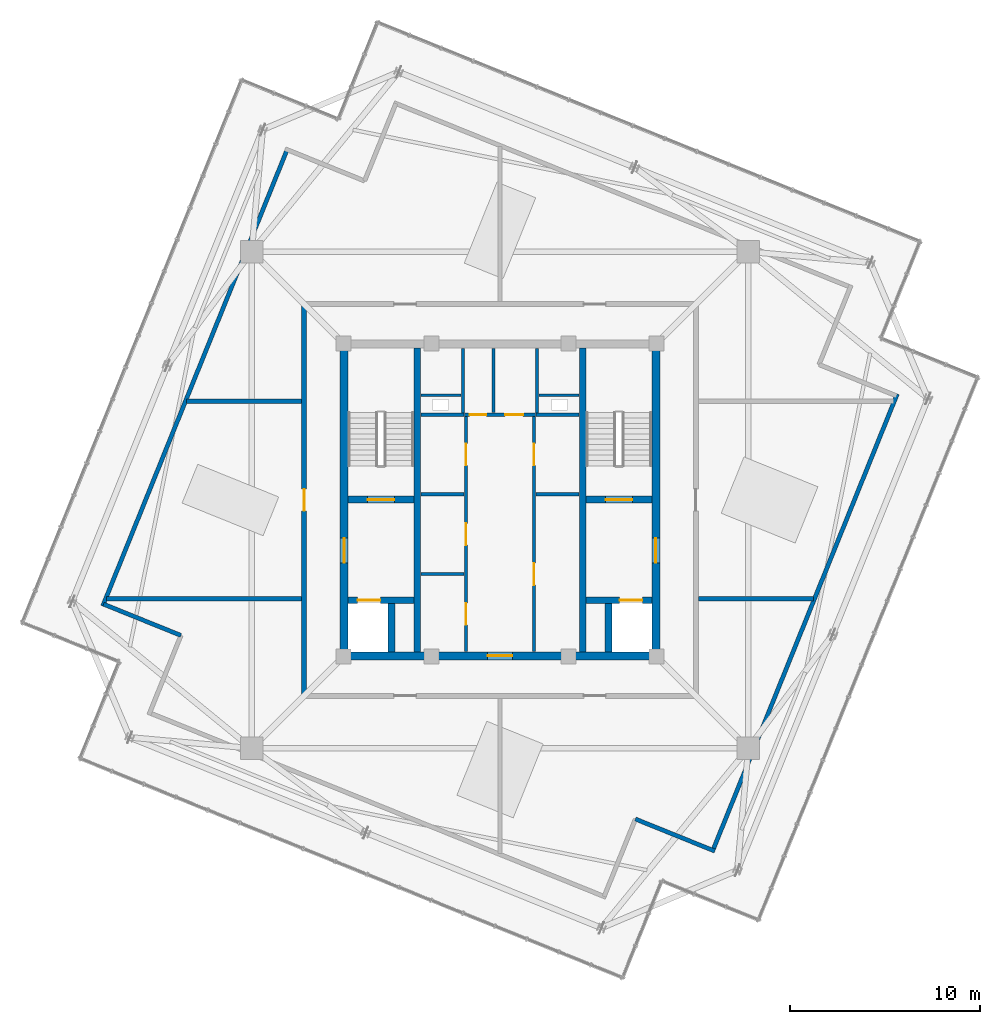
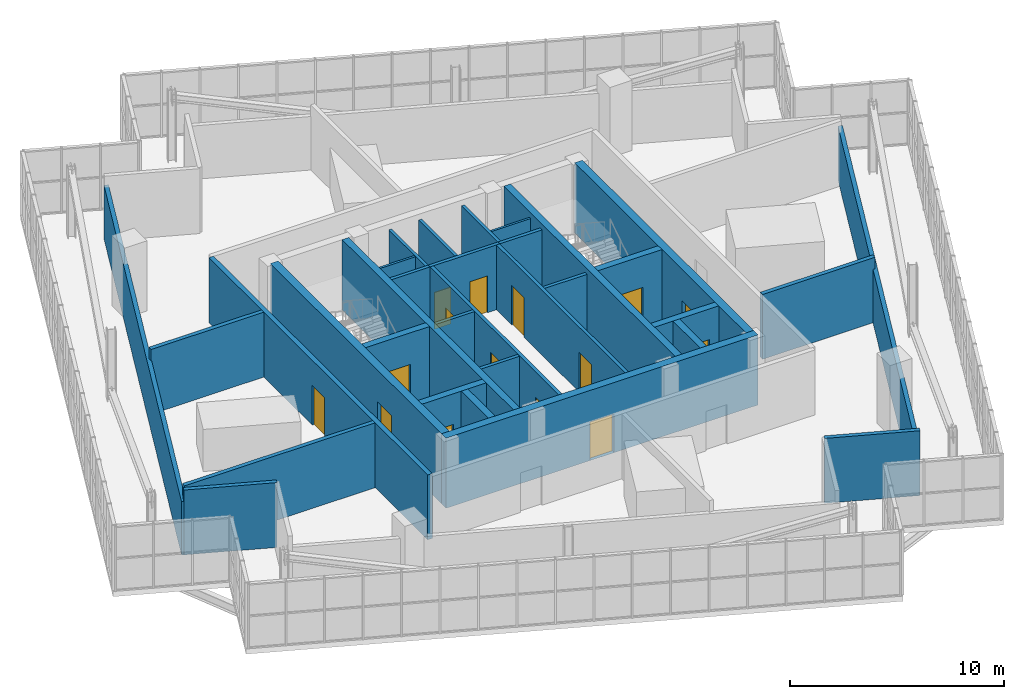
# One storey, part 23 of 26: 32 walls, 15 doors, 15 openings.
"""IFC4 building model written with IfcOpenShell, lengths in metres."""

import ifcopenshell
import ifcopenshell.guid

model = None  # the IFC model being written
_history = None  # IfcOwnerHistory: only IFC2X3 demands one
_inside = {}  # id of a spatial element -> (the spatial element, [elements in it])
_under = {}  # id of a project, library or spatial element -> (it, [spatial elements below it])
_declared = {}  # id of a project -> (the project, [libraries it declares])
_typed = {}  # id of a type object -> (the type object, [elements of that type])
_made_of = {}  # id of a material, layer set ... -> (it, [elements and type objects made of it])


def new_model(schema):
    """Start an empty IFC model of exactly this schema.

    Asked for "IFC4X3", IfcOpenShell would pick the latest addendum, in which some entities
    have other attributes; the version numbers below select the first issue.
    IFC2X3 requires an IfcOwnerHistory on every rooted entity: one is made here for all.
    """
    global model, _history
    if schema == "IFC4X3":
        model = ifcopenshell.file(schema_version=(4, 3, 0, 0))
    else:
        model = ifcopenshell.file(schema=schema)
    _inside.clear()
    _under.clear()
    _declared.clear()
    _typed.clear()
    _made_of.clear()
    _history = None
    if model.schema == "IFC2X3":
        org = make("IfcOrganization", Name="unknown")
        user = make(
            "IfcPersonAndOrganization",
            ThePerson=make("IfcPerson", FamilyName="unknown"),
            TheOrganization=org,
        )
        app = make(
            "IfcApplication",
            ApplicationDeveloper=org,
            Version="unknown",
            ApplicationFullName="unknown",
            ApplicationIdentifier="unknown",
        )
        _history = make(
            "IfcOwnerHistory",
            OwningUser=user,
            OwningApplication=app,
            ChangeAction="ADDED",
            CreationDate=0,
        )
    return model


def make(cls, **values):
    """One entity of the class cls with the attributes given. An attribute that is None is left unset."""
    return model.create_entity(
        cls, **{name: value for name, value in values.items() if value is not None}
    )


def rooted(cls, **values):
    """An entity with a GlobalId (a new one), such as an element, a storey or a relation."""
    return make(cls, GlobalId=ifcopenshell.guid.new(), OwnerHistory=_history, **values)


def si_unit(unit_type, name, prefix=None):
    """IfcSIUnit, for example si_unit("LENGTHUNIT", "METRE", prefix="MILLI")."""
    return make("IfcSIUnit", UnitType=unit_type, Prefix=prefix, Name=name)


def assignment(units):
    """IfcUnitAssignment: the units of a project."""
    return None if units is None else make("IfcUnitAssignment", Units=units)


def point(xyz):
    """IfcCartesianPoint."""
    return None if xyz is None else make("IfcCartesianPoint", Coordinates=xyz)


def direction(xyz):
    """IfcDirection."""
    return None if xyz is None else make("IfcDirection", DirectionRatios=xyz)


def frame(location, z_axis=None, x_axis=None):
    """IfcAxis2Placement3D, a coordinate frame: its origin and axes. An axis left out is left unset."""
    return make(
        "IfcAxis2Placement3D",
        Location=point(location),
        Axis=direction(z_axis),
        RefDirection=direction(x_axis),
    )


def frame_2d(location, x_axis=None):
    """IfcAxis2Placement2D, a coordinate frame in the plane: its origin and x axis."""
    return make(
        "IfcAxis2Placement2D", Location=point(location), RefDirection=direction(x_axis)
    )


def origin():
    """The frame at (0, 0, 0) with its axes left unset."""
    return frame((0.0, 0.0, 0.0))


def place(relative_to, where):
    """IfcLocalPlacement: puts the frame where relative to a parent placement (None: the world)."""
    return make(
        "IfcLocalPlacement", PlacementRelTo=relative_to, RelativePlacement=where
    )


def context(
    kind, dimensions, precision=None, world=None, true_north=None, identifier=None
):
    """IfcGeometricRepresentationContext, for example the 3D "Model" context."""
    return make(
        "IfcGeometricRepresentationContext",
        ContextIdentifier=identifier,
        ContextType=kind,
        CoordinateSpaceDimension=dimensions,
        Precision=precision,
        WorldCoordinateSystem=world,
        TrueNorth=true_north,
    )


def subcontext(parent, identifier, kind, view, scale=None):
    """IfcGeometricRepresentationSubContext, for example "Body" below "Model"."""
    return make(
        "IfcGeometricRepresentationSubContext",
        ContextIdentifier=identifier,
        ContextType=kind,
        ParentContext=parent,
        TargetScale=scale,
        TargetView=view,
    )


def project(units=None, contexts=None):
    """IfcProject with its units and contexts."""
    return rooted(
        "IfcProject",
        Name="project",
        RepresentationContexts=contexts,
        UnitsInContext=assignment(units),
    )


def spatial(cls, under=None, at=None, **own):
    """A site, building, storey or space (cls), placed at a placement, below another one or the project."""
    s = rooted(cls, ObjectPlacement=at, **own)
    if under is not None:
        _under.setdefault(under.id(), (under, []))[1].append(s)
    return s


def profile(cls, at=None, kind="AREA", **sizes):
    """A parametric profile (cls). Its sizes go by their IFC names, for example OverallWidth=200.0."""
    return make(cls, ProfileType=kind, Position=at, **sizes)


def rectangle(**sizes):
    """IfcRectangleProfileDef."""
    return profile("IfcRectangleProfileDef", **sizes)


def extrude(swept, where, along, depth):
    """IfcExtrudedAreaSolid: the profile swept, set in the frame where, extruded along a direction by depth."""
    return make(
        "IfcExtrudedAreaSolid",
        SweptArea=swept,
        Position=where,
        ExtrudedDirection=direction(along),
        Depth=depth,
    )


def shape(context_of_items, identifier, shape_type, items):
    """IfcShapeRepresentation: the items that make up one representation, for example the "Body"."""
    return make(
        "IfcShapeRepresentation",
        ContextOfItems=context_of_items,
        RepresentationIdentifier=identifier,
        RepresentationType=shape_type,
        Items=items,
    )


def source(mapping_origin, context_of_items, identifier, shape_type, items):
    """IfcRepresentationMap: a shape defined once, which mapped items show again and again."""
    return make(
        "IfcRepresentationMap",
        MappingOrigin=mapping_origin,
        MappedRepresentation=shape(context_of_items, identifier, shape_type, items),
    )


def transform(
    local_origin,
    x_axis=None,
    y_axis=None,
    z_axis=None,
    scale=None,
    scale2=None,
    scale3=None,
    uniform=True,
):
    """IfcCartesianTransformationOperator3D, or its non-uniform kind. x_axis, y_axis, z_axis: its Axis1, 2, 3."""
    if uniform:
        return make(
            "IfcCartesianTransformationOperator3D",
            Axis1=direction(x_axis),
            Axis2=direction(y_axis),
            LocalOrigin=point(local_origin),
            Scale=scale,
            Axis3=direction(z_axis),
        )
    return make(
        "IfcCartesianTransformationOperator3DnonUniform",
        Axis1=direction(x_axis),
        Axis2=direction(y_axis),
        LocalOrigin=point(local_origin),
        Scale=scale,
        Axis3=direction(z_axis),
        Scale2=scale2,
        Scale3=scale3,
    )


def mapped(mapping_source, mapping_target):
    """IfcMappedItem: shows the shape of a source again, moved by a transform."""
    return make(
        "IfcMappedItem", MappingSource=mapping_source, MappingTarget=mapping_target
    )


def material(Name=None, Category=None):
    """IfcMaterial."""
    return make("IfcMaterial", Name=Name, Category=Category)


def layer(
    of_material, thickness, ventilated=None, Name=None, Category=None, Priority=None
):
    """IfcMaterialLayer: one layer of a wall or slab, of a material (None: an air gap)."""
    return make(
        "IfcMaterialLayer",
        Material=of_material,
        LayerThickness=thickness,
        IsVentilated=ventilated,
        Name=Name,
        Category=Category,
        Priority=Priority,
    )


def layer_set(layers, Name=None):
    """IfcMaterialLayerSet."""
    return make("IfcMaterialLayerSet", MaterialLayers=layers, LayerSetName=Name)


def made_of(thing, what):
    """Note that an element or type object is made of a material, layer set ...; save() writes the relation."""
    if what is not None:
        _made_of.setdefault(what.id(), (what, []))[1].append(thing)
    return thing


def type_object(cls, material=None, **own):
    """A type object (cls), such as IfcWallType, which elements share."""
    return made_of(rooted(cls, **own), material)


def element(
    cls,
    number,
    at=None,
    inside=None,
    cuts=None,
    type_object=None,
    material=None,
    context=None,
    identifier="Body",
    shape_type=None,
    held_by="IfcProductDefinitionShape",
    body=None,
    shapes=None,
    **own,
):
    """One element of the class cls, such as IfcWall. Its Tag is "e" and its number.

    at: its placement. inside: the storey or other place that contains it. cuts: it is an
    opening in that element (IfcRelVoidsElement). A single representation is given by context,
    identifier, shape_type and body (its items); several are given by shapes. held_by: the class
    of the entity that holds the representations. save() writes the other relations.
    """
    e = rooted(cls, Tag="e%d" % number, ObjectPlacement=at, **own)
    if body is not None:
        shapes = [shape(context, identifier, shape_type, body)]
    if shapes is not None:
        e.Representation = make(held_by, Representations=shapes)
    if inside is not None:
        _inside.setdefault(inside.id(), (inside, []))[1].append(e)
    if cuts is not None:
        rooted(
            "IfcRelVoidsElement", RelatingBuildingElement=cuts, RelatedOpeningElement=e
        )
    if type_object is not None:
        _typed.setdefault(type_object.id(), (type_object, []))[1].append(e)
    return made_of(e, material)


def fill(opening, filler):
    """IfcRelFillsElement: the door or window that sits in an opening."""
    return rooted(
        "IfcRelFillsElement",
        RelatingOpeningElement=opening,
        RelatedBuildingElement=filler,
    )


def aggregate(whole, parts):
    """IfcRelAggregates: a whole, such as a stair, and the parts it consists of."""
    return rooted("IfcRelAggregates", RelatingObject=whole, RelatedObjects=parts)


def save(model, path):
    """Write the relations noted so far, then the file.

    IfcRelAggregates (storeys below a building ...), IfcRelContainedInSpatialStructure (elements
    in a storey), IfcRelDefinesByType, IfcRelAssociatesMaterial and IfcRelDeclares: one each for
    every whole, place, type object, material and project.
    """
    for whole, parts in _under.values():
        aggregate(whole, parts)
    for where, things in _inside.values():
        rooted(
            "IfcRelContainedInSpatialStructure",
            RelatedElements=things,
            RelatingStructure=where,
        )
    for kind, things in _typed.values():
        rooted("IfcRelDefinesByType", RelatedObjects=things, RelatingType=kind)
    for what, things in _made_of.values():
        rooted("IfcRelAssociatesMaterial", RelatedObjects=things, RelatingMaterial=what)
    for by, libraries in _declared.values():
        rooted("IfcRelDeclares", RelatingContext=by, RelatedDefinitions=libraries)
    model.write(path)


model = new_model("IFC4")

# Units and contexts
model_context = context("Model", 3, precision=1e-05, world=origin(), true_north=direction((0.0, 1.0)))
body_context = subcontext(model_context, "Body", "Model", "MODEL_VIEW")
ifc_project = project(units=[si_unit("LENGTHUNIT", "METRE"), si_unit("AREAUNIT", "SQUARE_METRE"), si_unit("VOLUMEUNIT", "CUBIC_METRE"), si_unit("PLANEANGLEUNIT", "RADIAN"), si_unit("MASSUNIT", "GRAM", prefix="KILO"), si_unit("THERMODYNAMICTEMPERATUREUNIT", "KELVIN")], contexts=[model_context])

# Site, building, storey
site_placement = place(None, origin())
site = spatial("IfcSite", under=ifc_project, at=site_placement, CompositionType="ELEMENT")
building_placement = place(site_placement, origin())
building = spatial("IfcBuilding", under=site, at=building_placement, Name="Kosmvard Interchange Tower", CompositionType="ELEMENT")
storey_placement = place(building_placement, frame((0.0, 0.0, 325.60009765625)))
storey = spatial("IfcBuildingStorey", under=building, at=storey_placement, Name="L80", CompositionType="ELEMENT", Elevation=325.60009765625)

# Walls
ifc_material_1 = material(Name="Fire-rated gypsum partition system")
ifc_layer_1 = layer(ifc_material_1, 0.159912109375, Name="Fire-rated gypsum partition system")
ifc_layer_set_1 = layer_set([ifc_layer_1], Name="Fire-rated gypsum partition system")
wall_type_1 = type_object("IfcWallType", Name="Core Compartment & Shuttle Lobby Partition 160", PredefinedType="PARTITIONING", material=ifc_layer_set_1)
for number, where, z_axis, x_axis, name in (
    (1, (-1.9599609375, 4.580078125, 0.0), (0.0, 0.0, 1.0), (0.0, 1.0, 0.0), "L80 North Core West Wall"),
    (2, (1.9599609375, 4.580078125, 0.0), (0.0, 0.0, 1.0), (0.0, 1.0, 0.0), "L80 North Core East Wall"),
):
    element("IfcWall", number, at=place(storey_placement, frame(where, z_axis=z_axis, x_axis=x_axis)), inside=storey, type_object=wall_type_1, Name=name, PredefinedType="PARTITIONING", context=body_context, shape_type="SweptSolid", body=[
        extrude(rectangle(XDim=3.39990234375, YDim=0.159912109375, at=frame_2d((1.699951171875, 0.0))), origin(), (0.0, 0.0, 1.0), 3.699951171875),
    ])
ifc_material_2 = material(Name="Concrete blockwork masonry", Category="masonry")
ifc_layer_2 = layer(ifc_material_2, 0.159912109375, Name="Concrete blockwork masonry")
ifc_layer_set_2 = layer_set([ifc_layer_2], Name="Concrete blockwork masonry")
wall_type_2 = type_object("IfcWallType", Name="Core Enclosure Split Wall 160", PredefinedType="PARTITIONING", material=ifc_layer_set_2)
wall_1_placement = place(storey_placement, frame((-0.35009765625, 4.60009765625, 0.0), z_axis=(0.0, 0.0, 1.0), x_axis=(0.0, 1.0, 0.0)))
element("IfcWall", 3, at=wall_1_placement, inside=storey, type_object=wall_type_2, Name="L80 Core K2 Split Wall", PredefinedType="PARTITIONING", context=body_context, shape_type="SweptSolid", body=[
    extrude(rectangle(XDim=3.3798828125, YDim=0.159912109375, at=frame_2d((1.68994140625, 0.0))), origin(), (0.0, 0.0, 1.0), 3.699951171875),
])

# Wall, openings, doors
ifc_layer_3 = layer(ifc_material_1, 0.179931640625, Name="Fire-rated gypsum partition system")
ifc_layer_set_3 = layer_set([ifc_layer_3], Name="Fire-rated gypsum partition system")
wall_type_3 = type_object("IfcWallType", Name="Corridor & Hotel Compartment Partition 180", PredefinedType="PARTITIONING", material=ifc_layer_set_3)
wall_2_placement = place(storey_placement, frame((-1.7900390625, -7.97998046875, 0.0), z_axis=(0.0, 0.0, 1.0), x_axis=(0.0, 1.0, 0.0)))
wall_2 = element("IfcWall", 4, at=wall_2_placement, inside=storey, type_object=wall_type_3, Name="L80 West Lift Bank Front Wall", PredefinedType="PARTITIONING", context=body_context, shape_type="SweptSolid", body=[
    extrude(rectangle(XDim=12.3798828125, YDim=0.179931640625, at=frame_2d((6.18994140625, 0.0))), origin(), (0.0, 0.0, 1.0), 3.699951171875),
])
opening_1_placement = place(wall_2_placement, frame((1.39990234375, 0.0, 0.0)))
opening_1 = element("IfcOpeningElement", 5, at=opening_1_placement, cuts=wall_2, Name="Opening L80-CD1", PredefinedType="OPENING", context=body_context, shape_type="SweptSolid", body=[
    extrude(rectangle(XDim=1.14990234375, YDim=2.25, at=frame_2d((0.574951171875, 1.125))), frame((0.0, 0.10009765625, 0.0), z_axis=(0.0, -1.0, 0.0), x_axis=(1.0, 0.0, 0.0)), (0.0, 0.0, 1.0), 0.199951171875),
])
opening_2_placement = place(wall_2_placement, frame((5.60009765625, 0.0, 0.0)))
opening_2 = element("IfcOpeningElement", 6, at=opening_2_placement, cuts=wall_2, Name="Opening L80-CD2", PredefinedType="OPENING", context=body_context, shape_type="SweptSolid", body=[
    extrude(rectangle(XDim=1.14990234375, YDim=2.25, at=frame_2d((0.574951171875, 1.125))), frame((0.0, 0.10009765625, 0.0), z_axis=(0.0, -1.0, 0.0), x_axis=(1.0, 0.0, 0.0)), (0.0, 0.0, 1.0), 0.199951171875),
])
opening_3_placement = place(wall_2_placement, frame((9.800048828125, 0.0, 0.0)))
opening_3 = element("IfcOpeningElement", 7, at=opening_3_placement, cuts=wall_2, Name="Opening L80-CD7", PredefinedType="OPENING", context=body_context, shape_type="SweptSolid", body=[
    extrude(rectangle(XDim=1.14990234375, YDim=2.25, at=frame_2d((0.574951171875, 1.125))), frame((0.0, 0.10009765625, 0.0), z_axis=(0.0, -1.0, 0.0), x_axis=(1.0, 0.0, 0.0)), (0.0, 0.0, 1.0), 0.199951171875),
])
ifc_material_3 = material(Name="Painted fire-rated steel leaf", Category="steel")
door_type_1 = type_object("IfcDoorType", Name="Plant & Riser Fire Door 1150x2250 EI60", OperationType="NOTDEFINED", PredefinedType="DOOR", material=ifc_material_3)
shared_shape_1 = source(origin(), body_context, "Body", "SweptSolid", [
    extrude(rectangle(XDim=1.14990234375, YDim=2.25, at=frame_2d((0.574951171875, 1.125))), frame((0.0, 0.02490234375, 0.0), z_axis=(0.0, -1.0, 0.0), x_axis=(1.0, 0.0, 0.0)), (0.0, 0.0, 1.0), 0.050048828125),
])
door_1_placement = place(opening_1_placement, origin())
door_1 = element("IfcDoor", 8, at=door_1_placement, inside=storey, type_object=door_type_1, Name="L80 Core Archive Door", OperationType="SINGLE_SWING_LEFT", OverallHeight=2.25, OverallWidth=1.14990234375, PredefinedType="DOOR", context=body_context, shape_type="MappedRepresentation", body=[
    mapped(shared_shape_1, transform((0.0, 0.0, 0.0), scale=1.0)),
])
fill(opening_1, door_1)
door_2_placement = place(opening_2_placement, origin())
door_2 = element("IfcDoor", 9, at=door_2_placement, inside=storey, type_object=door_type_1, Name="L80 Mid Core Housekeeping Door", OperationType="SINGLE_SWING_RIGHT", OverallHeight=2.25, OverallWidth=1.14990234375, PredefinedType="DOOR", context=body_context, shape_type="MappedRepresentation", body=[
    mapped(shared_shape_1, transform((0.0, 0.0, 0.0), scale=1.0)),
])
fill(opening_2, door_2)
door_3_placement = place(opening_3_placement, origin())
door_3 = element("IfcDoor", 10, at=door_3_placement, inside=storey, type_object=door_type_1, Name="L80 Crown Core West Door", OperationType="SINGLE_SWING_LEFT", OverallHeight=2.25, OverallWidth=1.14990234375, PredefinedType="DOOR", context=body_context, shape_type="MappedRepresentation", body=[
    mapped(shared_shape_1, transform((0.0, 0.0, 0.0), scale=1.0)),
])
fill(opening_3, door_3)

wall_3_placement = place(storey_placement, frame((1.7900390625, -7.97998046875, 0.0), z_axis=(0.0, 0.0, 1.0), x_axis=(0.0, 1.0, 0.0)))
wall_3 = element("IfcWall", 11, at=wall_3_placement, inside=storey, type_object=wall_type_3, Name="L80 East Lift Bank Front Wall", PredefinedType="PARTITIONING", context=body_context, shape_type="SweptSolid", body=[
    extrude(rectangle(XDim=12.3798828125, YDim=0.179931640625, at=frame_2d((6.18994140625, 0.0))), origin(), (0.0, 0.0, 1.0), 3.699951171875),
])
opening_4_placement = place(wall_3_placement, frame((3.5, 0.0, 0.0)))
opening_4 = element("IfcOpeningElement", 12, at=opening_4_placement, cuts=wall_3, Name="Opening L80-CD3", PredefinedType="OPENING", context=body_context, shape_type="SweptSolid", body=[
    extrude(rectangle(XDim=1.14990234375, YDim=2.25, at=frame_2d((0.574951171875, 1.125))), frame((0.0, 0.10009765625, 0.0), z_axis=(0.0, -1.0, 0.0), x_axis=(1.0, 0.0, 0.0)), (0.0, 0.0, 1.0), 0.199951171875),
])
opening_5_placement = place(wall_3_placement, frame((9.800048828125, 0.0, 0.0)))
opening_5 = element("IfcOpeningElement", 13, at=opening_5_placement, cuts=wall_3, Name="Opening L80-CD8", PredefinedType="OPENING", context=body_context, shape_type="SweptSolid", body=[
    extrude(rectangle(XDim=1.14990234375, YDim=2.25, at=frame_2d((0.574951171875, 1.125))), frame((0.0, 0.10009765625, 0.0), z_axis=(0.0, -1.0, 0.0), x_axis=(1.0, 0.0, 0.0)), (0.0, 0.0, 1.0), 0.199951171875),
])
door_4_placement = place(opening_4_placement, frame((1.14990234375, 0.0, 0.0), z_axis=(0.0, 0.0, 1.0), x_axis=(-1.0, 0.0, 0.0)))
door_4 = element("IfcDoor", 14, at=door_4_placement, inside=storey, type_object=door_type_1, Name="L80 Core Data Switch Door", OperationType="SINGLE_SWING_LEFT", OverallHeight=2.25, OverallWidth=1.14990234375, PredefinedType="DOOR", context=body_context, shape_type="MappedRepresentation", body=[
    mapped(shared_shape_1, transform((0.0, 0.0, 0.0), scale=1.0)),
])
fill(opening_4, door_4)
door_5_placement = place(opening_5_placement, frame((1.14990234375, 0.0, 0.0), z_axis=(0.0, 0.0, 1.0), x_axis=(-1.0, 0.0, 0.0)))
door_5 = element("IfcDoor", 15, at=door_5_placement, inside=storey, type_object=door_type_1, Name="L80 Crown Core East Door", OperationType="SINGLE_SWING_RIGHT", OverallHeight=2.25, OverallWidth=1.14990234375, PredefinedType="DOOR", context=body_context, shape_type="MappedRepresentation", body=[
    mapped(shared_shape_1, transform((0.0, 0.0, 0.0), scale=1.0)),
])
fill(opening_5, door_5)

wall_4_placement = place(storey_placement, frame((-1.8798828125, 4.489990234375, 0.0), z_axis=(0.0, 0.0, 1.0), x_axis=(1.0, 0.0, 0.0)))
wall_4 = element("IfcWall", 16, at=wall_4_placement, inside=storey, type_object=wall_type_3, Name="L80 Lift Lobby North Partition", PredefinedType="PARTITIONING", context=body_context, shape_type="SweptSolid", body=[
    extrude(rectangle(XDim=3.759765625, YDim=0.179931640625, at=frame_2d((1.8798828125, 0.0))), origin(), (0.0, 0.0, 1.0), 3.699951171875),
])
opening_6_placement = place(wall_4_placement, frame((0.280029296875, 0.0, 0.0)))
opening_6 = element("IfcOpeningElement", 17, at=opening_6_placement, cuts=wall_4, Name="Opening L80-KD1", PredefinedType="OPENING", context=body_context, shape_type="SweptSolid", body=[
    extrude(rectangle(XDim=0.8798828125, YDim=2.10009765625, at=frame_2d((0.43994140625, 1.050048828125))), frame((0.0, 0.10009765625, 0.0), z_axis=(0.0, -1.0, 0.0), x_axis=(1.0, 0.0, 0.0)), (0.0, 0.0, 1.0), 0.199951171875),
])
opening_7_placement = place(wall_4_placement, frame((2.14990234375, 0.0, 0.0)))
opening_7 = element("IfcOpeningElement", 18, at=opening_7_placement, cuts=wall_4, Name="Opening L80-KD2", PredefinedType="OPENING", context=body_context, shape_type="SweptSolid", body=[
    extrude(rectangle(XDim=0.949951171875, YDim=2.10009765625, at=frame_2d((0.47509765625, 1.050048828125))), frame((0.0, 0.10009765625, 0.0), z_axis=(0.0, -1.0, 0.0), x_axis=(1.0, 0.0, 0.0)), (0.0, 0.0, 1.0), 0.199951171875),
])
ifc_material_4 = material(Name="Painted fire-rated timber leaf", Category="wood")
door_type_2 = type_object("IfcDoorType", Name="Core Service Fire Door 950x2100 EI30", OperationType="NOTDEFINED", PredefinedType="DOOR", material=ifc_material_4)
shared_shape_2 = source(origin(), body_context, "Body", "SweptSolid", [
    extrude(rectangle(XDim=0.949951171875, YDim=2.10009765625, at=frame_2d((0.47509765625, 1.050048828125))), frame((0.0, 0.02490234375, 0.0), z_axis=(0.0, -1.0, 0.0), x_axis=(1.0, 0.0, 0.0)), (0.0, 0.0, 1.0), 0.050048828125),
])
door_6_placement = place(opening_7_placement, origin())
door_6 = element("IfcDoor", 19, at=door_6_placement, inside=storey, type_object=door_type_2, Name="L80 Core Tea Pantry Door", OperationType="SINGLE_SWING_RIGHT", OverallHeight=2.10009765625, OverallWidth=0.949951171875, PredefinedType="DOOR", context=body_context, shape_type="MappedRepresentation", body=[
    mapped(shared_shape_2, transform((0.0, 0.0, 0.0), scale=1.0)),
])
fill(opening_7, door_6)
door_type_3 = type_object("IfcDoorType", Name="Core Cupboard Fire Door 880x2100 EI30", OperationType="NOTDEFINED", PredefinedType="DOOR", material=ifc_material_4)
shared_shape_3 = source(origin(), body_context, "Body", "SweptSolid", [
    extrude(rectangle(XDim=0.8798828125, YDim=2.10009765625, at=frame_2d((0.43994140625, 1.050048828125))), frame((0.0, 0.02490234375, 0.0), z_axis=(0.0, -1.0, 0.0), x_axis=(1.0, 0.0, 0.0)), (0.0, 0.0, 1.0), 0.050048828125),
])
door_7_placement = place(opening_6_placement, origin())
door_7 = element("IfcDoor", 20, at=door_7_placement, inside=storey, type_object=door_type_3, Name="L80 Core Cleaner Cupboard Door", OperationType="SINGLE_SWING_LEFT", OverallHeight=2.10009765625, OverallWidth=0.8798828125, PredefinedType="DOOR", context=body_context, shape_type="MappedRepresentation", body=[
    mapped(shared_shape_3, transform((0.0, 0.0, 0.0), scale=1.0)),
])
fill(opening_6, door_7)

# Wall, opening, door
ifc_material_5 = material(Name="Concrete C50/60", Category="concrete")
ifc_layer_4 = layer(ifc_material_5, 0.419921875, Name="Concrete C50/60")
ifc_layer_set_4 = layer_set([ifc_layer_4], Name="Concrete C50/60")
wall_type_4 = type_object("IfcWallType", Name="Crown Core Shear Wall 420 C50/60", PredefinedType="SHEAR", material=ifc_layer_set_4)
wall_5_placement = place(storey_placement, frame((-8.419921875, -8.2099609375, 0.0), z_axis=(0.0, 0.0, 1.0), x_axis=(1.0, 0.0, 0.0)))
wall_5 = element("IfcWall", 21, at=wall_5_placement, inside=storey, type_object=wall_type_4, Name="L80 Core Shear Wall CW-S", PredefinedType="SHEAR", context=body_context, shape_type="SweptSolid", body=[
    extrude(rectangle(XDim=16.83984375, YDim=0.419921875, at=frame_2d((8.419921875, 0.0))), origin(), (0.0, 0.0, 1.0), 4.0),
])
opening_8_placement = place(wall_5_placement, frame((7.77001953125, 0.0, 0.0)))
opening_8 = element("IfcOpeningElement", 22, at=opening_8_placement, cuts=wall_5, Name="Opening L80-LD0", PredefinedType="OPENING", context=body_context, shape_type="SweptSolid", body=[
    extrude(rectangle(XDim=1.300048828125, YDim=2.199951171875, at=frame_2d((0.64990234375, 1.10009765625))), frame((0.0, 0.219970703125, 0.0), z_axis=(0.0, -1.0, 0.0), x_axis=(1.0, 0.0, 0.0)), (0.0, 0.0, 1.0), 0.43994140625),
])
door_type_4 = type_object("IfcDoorType", Name="Firefighting Lobby Door 1300x2200 EI60", OperationType="NOTDEFINED", PredefinedType="DOOR", material=ifc_material_3)
shared_shape_4 = source(origin(), body_context, "Body", "SweptSolid", [
    extrude(rectangle(XDim=1.300048828125, YDim=2.199951171875, at=frame_2d((0.64990234375, 1.10009765625))), frame((0.0, 0.02490234375, 0.0), z_axis=(0.0, -1.0, 0.0), x_axis=(1.0, 0.0, 0.0)), (0.0, 0.0, 1.0), 0.050048828125),
])
door_8_placement = place(opening_8_placement, frame((1.300048828125, 0.0, 0.0), z_axis=(0.0, 0.0, 1.0), x_axis=(-1.0, 0.0, 0.0)))
door_8 = element("IfcDoor", 23, at=door_8_placement, inside=storey, type_object=door_type_4, Name="L80 Passenger Lift Lobby South Door", OperationType="SINGLE_SWING_LEFT", OverallHeight=2.199951171875, OverallWidth=1.300048828125, PredefinedType="DOOR", context=body_context, shape_type="MappedRepresentation", body=[
    mapped(shared_shape_4, transform((0.0, 0.0, 0.0), scale=1.0)),
])
fill(opening_8, door_8)

wall_6_placement = place(storey_placement, frame((-8.2099609375, -8.0, 0.0), z_axis=(0.0, 0.0, 1.0), x_axis=(0.0, 1.0, 0.0)))
wall_6 = element("IfcWall", 24, at=wall_6_placement, inside=storey, type_object=wall_type_4, Name="L80 Core Shear Wall CW-W", PredefinedType="SHEAR", context=body_context, shape_type="SweptSolid", body=[
    extrude(rectangle(XDim=16.0, YDim=0.419921875, at=frame_2d((8.0, 0.0))), origin(), (0.0, 0.0, 1.0), 4.0),
])
opening_9_placement = place(wall_6_placement, frame((4.68994140625, 0.0, 0.0)))
opening_9 = element("IfcOpeningElement", 25, at=opening_9_placement, cuts=wall_6, Name="Opening L80-FD1", PredefinedType="OPENING", context=body_context, shape_type="SweptSolid", body=[
    extrude(rectangle(XDim=1.300048828125, YDim=2.199951171875, at=frame_2d((0.64990234375, 1.10009765625))), frame((0.0, 0.219970703125, 0.0), z_axis=(0.0, -1.0, 0.0), x_axis=(1.0, 0.0, 0.0)), (0.0, 0.0, 1.0), 0.43994140625),
])
door_9_placement = place(opening_9_placement, frame((1.300048828125, 0.0, 0.0), z_axis=(0.0, 0.0, 1.0), x_axis=(-1.0, 0.0, 0.0)))
door_9 = element("IfcDoor", 26, at=door_9_placement, inside=storey, type_object=door_type_4, Name="L80 Firefighting Lobby West Door", OperationType="SINGLE_SWING_LEFT", OverallHeight=2.199951171875, OverallWidth=1.300048828125, PredefinedType="DOOR", context=body_context, shape_type="MappedRepresentation", body=[
    mapped(shared_shape_4, transform((0.0, 0.0, 0.0), scale=1.0)),
])
fill(opening_9, door_9)

wall_7_placement = place(storey_placement, frame((8.2099609375, -8.0, 0.0), z_axis=(0.0, 0.0, 1.0), x_axis=(0.0, 1.0, 0.0)))
wall_7 = element("IfcWall", 27, at=wall_7_placement, inside=storey, type_object=wall_type_4, Name="L80 Core Shear Wall CW-E", PredefinedType="SHEAR", context=body_context, shape_type="SweptSolid", body=[
    extrude(rectangle(XDim=16.0, YDim=0.419921875, at=frame_2d((8.0, 0.0))), origin(), (0.0, 0.0, 1.0), 4.0),
])
opening_10_placement = place(wall_7_placement, frame((4.68994140625, 0.0, 0.0)))
opening_10 = element("IfcOpeningElement", 28, at=opening_10_placement, cuts=wall_7, Name="Opening L80-FD2", PredefinedType="OPENING", context=body_context, shape_type="SweptSolid", body=[
    extrude(rectangle(XDim=1.300048828125, YDim=2.199951171875, at=frame_2d((0.64990234375, 1.10009765625))), frame((0.0, 0.219970703125, 0.0), z_axis=(0.0, -1.0, 0.0), x_axis=(1.0, 0.0, 0.0)), (0.0, 0.0, 1.0), 0.43994140625),
])
door_10_placement = place(opening_10_placement, origin())
door_10 = element("IfcDoor", 29, at=door_10_placement, inside=storey, type_object=door_type_4, Name="L80 Firefighting Lobby East Door", OperationType="SINGLE_SWING_RIGHT", OverallHeight=2.199951171875, OverallWidth=1.300048828125, PredefinedType="DOOR", context=body_context, shape_type="MappedRepresentation", body=[
    mapped(shared_shape_4, transform((0.0, 0.0, 0.0), scale=1.0)),
])
fill(opening_10, door_10)

ifc_layer_5 = layer(ifc_material_2, 0.25, Name="Concrete blockwork masonry")
ifc_layer_set_5 = layer_set([ifc_layer_5], Name="Concrete blockwork masonry")
wall_type_5 = type_object("IfcWallType", Name="Exit Passage & Firefighting Lobby Wall 250", PredefinedType="PARTITIONING", material=ifc_layer_set_5)
wall_8_placement = place(storey_placement, frame((-10.320068359375, -10.219970703125, 0.0), z_axis=(0.0, 0.0, 1.0), x_axis=(0.0, 1.0, 0.0)))
wall_8 = element("IfcWall", 30, at=wall_8_placement, inside=storey, type_object=wall_type_5, Name="L80 Corridor Wall CW", PredefinedType="PARTITIONING", context=body_context, shape_type="SweptSolid", body=[
    extrude(rectangle(XDim=20.43994140625, YDim=0.25, at=frame_2d((10.219970703125, 0.0))), origin(), (0.0, 0.0, 1.0), 3.699951171875),
])
opening_11_placement = place(wall_8_placement, frame((9.64501953125, 0.0, 0.0)))
opening_11 = element("IfcOpeningElement", 31, at=opening_11_placement, cuts=wall_8, Name="Opening L80-D06", PredefinedType="OPENING", context=body_context, shape_type="SweptSolid", body=[
    extrude(rectangle(XDim=1.14990234375, YDim=2.25, at=frame_2d((0.574951171875, 1.125))), frame((0.0, 0.135009765625, 0.0), z_axis=(0.0, -1.0, 0.0), x_axis=(1.0, 0.0, 0.0)), (0.0, 0.0, 1.0), 0.27001953125),
])
door_11_placement = place(opening_11_placement, origin())
door_11 = element("IfcDoor", 32, at=door_11_placement, inside=storey, type_object=door_type_1, Name="L80 Fire Booster Reserve Tank Plant Room Door", OperationType="SINGLE_SWING_RIGHT", OverallHeight=2.25, OverallWidth=1.14990234375, PredefinedType="DOOR", context=body_context, shape_type="MappedRepresentation", body=[
    mapped(shared_shape_1, transform((0.0, 0.0, 0.0), scale=1.0)),
])
fill(opening_11, door_11)

# Walls
ifc_layer_6 = layer(ifc_material_2, 0.179931640625, Name="Concrete blockwork masonry")
ifc_layer_set_6 = layer_set([ifc_layer_6], Name="Concrete blockwork masonry")
wall_type_6 = type_object("IfcWallType", Name="Riser & Lift Bank Divider Wall 180", PredefinedType="PARTITIONING", material=ifc_layer_set_6)
for number, where, z_axis, x_axis, name in (
    (33, (-4.169921875, -3.89990234375, 0.0), (0.0, 0.0, 1.0), (1.0, 0.0, 0.0), "L80 West Bank Divider BD1"),
    (34, (-4.169921875, 0.300048828125, 0.0), (0.0, 0.0, 1.0), (1.0, 0.0, 0.0), "L80 West Bank Divider BD2"),
    (35, (1.889892578125, 0.300048828125, 0.0), (0.0, 0.0, 1.0), (1.0, 0.0, 0.0), "L80 East Bank Divider BD2"),
    (36, (-4.169921875, 4.489990234375, 0.0), (0.0, 0.0, 1.0), (1.0, 0.0, 0.0), "L80 West Bank Divider BD3"),
    (37, (1.889892578125, 4.489990234375, 0.0), (0.0, 0.0, 1.0), (1.0, 0.0, 0.0), "L80 East Bank Divider BD3"),
):
    element("IfcWall", number, at=place(storey_placement, frame(where, z_axis=z_axis, x_axis=x_axis)), inside=storey, type_object=wall_type_6, Name=name, PredefinedType="PARTITIONING", context=body_context, shape_type="SweptSolid", body=[
        extrude(rectangle(XDim=2.280029296875, YDim=0.179931640625, at=frame_2d((1.14013671875, 0.0))), origin(), (0.0, 0.0, 1.0), 3.699951171875),
    ])
ifc_layer_7 = layer(ifc_material_2, 0.219970703125, Name="Concrete blockwork masonry")
ifc_layer_set_7 = layer_set([ifc_layer_7], Name="Concrete blockwork masonry")
wall_type_7 = type_object("IfcWallType", Name="Riser & Plant Enclosure Wall 220", PredefinedType="PARTITIONING", material=ifc_layer_set_7)
for number, where, z_axis, x_axis, name in (
    (38, (11.172119140625, -18.556396484375, 0.0), (0.0, 0.0, 1.0), (0.374611707018, 0.927181788521, 0.0), "L80 Crown Plant Enclosure Wall S"),
    (39, (-11.172119140625, 18.556396484375, 0.0), (0.0, 0.0, 1.0), (-0.374611707018, -0.927181788521, 0.0), "L80 Crown Plant Enclosure Wall N"),
):
    element("IfcWall", number, at=place(storey_placement, frame(where, z_axis=z_axis, x_axis=x_axis)), inside=storey, type_object=wall_type_7, Name=name, PredefinedType="PARTITIONING", context=body_context, shape_type="SweptSolid", body=[
        extrude(rectangle(XDim=26.0400390625, YDim=0.219970703125, at=frame_2d((13.02001953125, 0.0))), origin(), (0.0, 0.0, 1.0), 3.0498046875),
    ])
wall_9_placement = place(storey_placement, frame((-20.8857421875, -5.485595703125, 0.0), z_axis=(0.0, 0.0, 1.0), x_axis=(0.927189216671, -0.374593321469, 0.0)))
element("IfcWall", 40, at=wall_9_placement, inside=storey, type_object=wall_type_7, Name="L80 Crown Plant Enclosure Wall NW1", PredefinedType="PARTITIONING", context=body_context, shape_type="SweptSolid", body=[
    extrude(rectangle(XDim=4.39990234375, YDim=0.219970703125, at=frame_2d((2.199951171875, 0.0))), origin(), (0.0, 0.0, 1.0), 3.699951171875),
])
wall_10_placement = place(storey_placement, frame((7.1337890625, -16.80615234375, 0.0), z_axis=(0.0, 0.0, 1.0), x_axis=(0.927186885331, -0.374599091925, 0.0)))
element("IfcWall", 41, at=wall_10_placement, inside=storey, type_object=wall_type_7, Name="L80 Crown Plant Enclosure Wall SW2", PredefinedType="PARTITIONING", context=body_context, shape_type="SweptSolid", body=[
    extrude(rectangle(XDim=4.510009765625, YDim=0.219970703125, at=frame_2d((2.2548828125, 0.0))), origin(), (0.0, 0.0, 1.0), 3.699951171875),
])
wall_11_placement = place(storey_placement, frame((10.449951171875, -5.199951171875, 0.0), z_axis=(0.0, 0.0, 1.0), x_axis=(1.0, 0.0, 0.0)))
element("IfcWall", 42, at=wall_11_placement, inside=storey, type_object=wall_type_7, Name="L80 Room Partition 03.1", PredefinedType="PARTITIONING", context=body_context, shape_type="SweptSolid", body=[
    extrude(rectangle(XDim=6.070068359375, YDim=0.219970703125, at=frame_2d((3.03515625, 0.0))), origin(), (0.0, 0.0, 1.0), 3.699951171875),
])
wall_12_placement = place(storey_placement, frame((-10.449951171875, -5.199951171875, 0.0), z_axis=(0.0, 0.0, 1.0), x_axis=(-1.0, 0.0, 0.0)))
element("IfcWall", 43, at=wall_12_placement, inside=storey, type_object=wall_type_7, Name="L80 Room Partition 05.1", PredefinedType="PARTITIONING", context=body_context, shape_type="SweptSolid", body=[
    extrude(rectangle(XDim=10.27197265625, YDim=0.219970703125, at=frame_2d((5.135986328125, 0.0))), origin(), (0.0, 0.0, 1.0), 3.699951171875),
])
wall_13_placement = place(storey_placement, frame((-10.449951171875, 5.199951171875, 0.0), z_axis=(0.0, 0.0, 1.0), x_axis=(-1.0, 0.0, 0.0)))
element("IfcWall", 44, at=wall_13_placement, inside=storey, type_object=wall_type_7, Name="L80 Room Partition 06.1", PredefinedType="PARTITIONING", context=body_context, shape_type="SweptSolid", body=[
    extrude(rectangle(XDim=6.070068359375, YDim=0.219970703125, at=frame_2d((3.03515625, 0.0))), origin(), (0.0, 0.0, 1.0), 3.699951171875),
])
ifc_material_6 = material(Name="Fire-rated gypsum shaftwall system")
ifc_layer_8 = layer(ifc_material_6, 0.1201171875, Name="Fire-rated gypsum shaftwall system")
ifc_layer_set_8 = layer_set([ifc_layer_8], Name="Fire-rated gypsum shaftwall system")
wall_type_8 = type_object("IfcWallType", Name="Shaft & Riser Fire Partition 120 EI60", PredefinedType="PARTITIONING", material=ifc_layer_set_8)
for number, where, z_axis, x_axis, name in (
    (45, (-4.159912109375, 5.52001953125, 0.0), (0.0, 0.0, 1.0), (1.0, 0.0, 0.0), "L80 Riser Shaft Divider W"),
    (46, (2.06005859375, 5.52001953125, 0.0), (0.0, 0.0, 1.0), (1.0, 0.0, 0.0), "L80 Riser Shaft Divider E"),
):
    element("IfcWall", number, at=place(storey_placement, frame(where, z_axis=z_axis, x_axis=x_axis)), inside=storey, type_object=wall_type_8, Name=name, PredefinedType="PARTITIONING", context=body_context, shape_type="SweptSolid", body=[
        extrude(rectangle(XDim=2.099853515625, YDim=0.1201171875, at=frame_2d((1.0498046875, 0.0))), origin(), (0.0, 0.0, 1.0), 3.699951171875),
    ])
ifc_material_7 = material(Name="Concrete C60/75", Category="concrete")
ifc_layer_9 = layer(ifc_material_7, 0.360107421875, Name="Concrete C60/75")
ifc_layer_set_9 = layer_set([ifc_layer_9], Name="Concrete C60/75")
wall_type_9 = type_object("IfcWallType", Name="Stair & Lift Shaft Shear Wall 360 C60/75", PredefinedType="SHEAR", material=ifc_layer_set_9)
for number, where, z_axis, x_axis, name in (
    (47, (-4.360107421875, -8.0, 0.0), (0.0, 0.0, 1.0), (0.0, 1.0, 0.0), "L80 Shaft Shear Wall SW-W"),
    (48, (4.360107421875, -8.0, 0.0), (0.0, 0.0, 1.0), (0.0, 1.0, 0.0), "L80 Shaft Shear Wall SW-E"),
):
    element("IfcWall", number, at=place(storey_placement, frame(where, z_axis=z_axis, x_axis=x_axis)), inside=storey, type_object=wall_type_9, Name=name, PredefinedType="SHEAR", context=body_context, shape_type="SweptSolid", body=[
        extrude(rectangle(XDim=16.0, YDim=0.360107421875, at=frame_2d((8.0, 0.0))), origin(), (0.0, 0.0, 1.0), 4.0),
    ])

# Wall, opening, door
wall_14_placement = place(storey_placement, frame((-8.0, 0.02001953125, 0.0), z_axis=(0.0, 0.0, 1.0), x_axis=(1.0, 0.0, 0.0)))
wall_14 = element("IfcWall", 49, at=wall_14_placement, inside=storey, type_object=wall_type_9, Name="L80 Shaft Shear Wall SW-ST1", PredefinedType="SHEAR", context=body_context, shape_type="SweptSolid", body=[
    extrude(rectangle(XDim=3.4599609375, YDim=0.360107421875, at=frame_2d((1.72998046875, 0.0))), origin(), (0.0, 0.0, 1.0), 4.0),
])
opening_12_placement = place(wall_14_placement, frame((1.030029296875, 0.0, 0.0)))
opening_12 = element("IfcOpeningElement", 50, at=opening_12_placement, cuts=wall_14, Name="Opening L80-SD1", PredefinedType="OPENING", context=body_context, shape_type="SweptSolid", body=[
    extrude(rectangle(XDim=1.39990234375, YDim=2.199951171875, at=frame_2d((0.699951171875, 1.10009765625))), frame((0.0, 0.18994140625, 0.0), z_axis=(0.0, -1.0, 0.0), x_axis=(1.0, 0.0, 0.0)), (0.0, 0.0, 1.0), 0.380126953125),
])
door_type_5 = type_object("IfcDoorType", Name="Protected Stair Door 1400x2200 FD60S", OperationType="NOTDEFINED", PredefinedType="DOOR", material=ifc_material_3)
shared_shape_5 = source(origin(), body_context, "Body", "SweptSolid", [
    extrude(rectangle(XDim=1.39990234375, YDim=2.199951171875, at=frame_2d((0.699951171875, 1.10009765625))), frame((0.0, 0.02490234375, 0.0), z_axis=(0.0, -1.0, 0.0), x_axis=(1.0, 0.0, 0.0)), (0.0, 0.0, 1.0), 0.050048828125),
])
door_12_placement = place(opening_12_placement, origin())
door_12 = element("IfcDoor", 51, at=door_12_placement, inside=storey, type_object=door_type_5, Name="L80 Stair ST-1 Enclosure Door", OperationType="SINGLE_SWING_LEFT", OverallHeight=2.199951171875, OverallWidth=1.39990234375, PredefinedType="DOOR", context=body_context, shape_type="MappedRepresentation", body=[
    mapped(shared_shape_5, transform((0.0, 0.0, 0.0), scale=1.0)),
])
fill(opening_12, door_12)

wall_15_placement = place(storey_placement, frame((4.5400390625, 0.02001953125, 0.0), z_axis=(0.0, 0.0, 1.0), x_axis=(1.0, 0.0, 0.0)))
wall_15 = element("IfcWall", 52, at=wall_15_placement, inside=storey, type_object=wall_type_9, Name="L80 Shaft Shear Wall SW-ST2", PredefinedType="SHEAR", context=body_context, shape_type="SweptSolid", body=[
    extrude(rectangle(XDim=3.4599609375, YDim=0.360107421875, at=frame_2d((1.72998046875, 0.0))), origin(), (0.0, 0.0, 1.0), 4.0),
])
opening_13_placement = place(wall_15_placement, frame((1.030029296875, 0.0, 0.0)))
opening_13 = element("IfcOpeningElement", 53, at=opening_13_placement, cuts=wall_15, Name="Opening L80-SD2", PredefinedType="OPENING", context=body_context, shape_type="SweptSolid", body=[
    extrude(rectangle(XDim=1.39990234375, YDim=2.199951171875, at=frame_2d((0.699951171875, 1.10009765625))), frame((0.0, 0.18994140625, 0.0), z_axis=(0.0, -1.0, 0.0), x_axis=(1.0, 0.0, 0.0)), (0.0, 0.0, 1.0), 0.380126953125),
])
door_13_placement = place(opening_13_placement, origin())
door_13 = element("IfcDoor", 54, at=door_13_placement, inside=storey, type_object=door_type_5, Name="L80 Stair ST-2 Enclosure Door", OperationType="SINGLE_SWING_RIGHT", OverallHeight=2.199951171875, OverallWidth=1.39990234375, PredefinedType="DOOR", context=body_context, shape_type="MappedRepresentation", body=[
    mapped(shared_shape_5, transform((0.0, 0.0, 0.0), scale=1.0)),
])
fill(opening_13, door_13)

wall_16_placement = place(storey_placement, frame((-8.0, -5.280029296875, 0.0), z_axis=(0.0, 0.0, 1.0), x_axis=(1.0, 0.0, 0.0)))
wall_16 = element("IfcWall", 55, at=wall_16_placement, inside=storey, type_object=wall_type_9, Name="L80 Shaft Shear Wall SW-FF1", PredefinedType="SHEAR", context=body_context, shape_type="SweptSolid", body=[
    extrude(rectangle(XDim=3.4599609375, YDim=0.360107421875, at=frame_2d((1.72998046875, 0.0))), origin(), (0.0, 0.0, 1.0), 4.0),
])
opening_14_placement = place(wall_16_placement, frame((0.5, 0.0, 0.0)))
opening_14 = element("IfcOpeningElement", 56, at=opening_14_placement, cuts=wall_16, Name="Opening LD-FF-1-L80", PredefinedType="OPENING", context=body_context, shape_type="SweptSolid", body=[
    extrude(rectangle(XDim=1.199951171875, YDim=2.25, at=frame_2d((0.60009765625, 1.125))), frame((0.0, 0.18994140625, 0.0), z_axis=(0.0, -1.0, 0.0), x_axis=(1.0, 0.0, 0.0)), (0.0, 0.0, 1.0), 0.380126953125),
])
ifc_material_8 = material(Name="Brushed stainless steel sliding leaf", Category="steel")
door_type_6 = type_object("IfcDoorType", Name="Firefighting Lift Sliding Landing Door 1200x2250 EI120", OperationType="DOUBLE_DOOR_SLIDING", PredefinedType="DOOR", material=ifc_material_8)
shared_shape_6 = source(origin(), body_context, "Body", "SweptSolid", [
    extrude(rectangle(XDim=1.199951171875, YDim=2.25, at=frame_2d((0.60009765625, 1.125))), frame((0.0, 0.02490234375, 0.0), z_axis=(0.0, -1.0, 0.0), x_axis=(1.0, 0.0, 0.0)), (0.0, 0.0, 1.0), 0.050048828125),
])
door_14_placement = place(opening_14_placement, origin())
door_14 = element("IfcDoor", 57, at=door_14_placement, inside=storey, type_object=door_type_6, Name="Lift FF-1 Landing Door L80", OperationType="DOUBLE_DOOR_SLIDING", OverallHeight=2.25, OverallWidth=1.199951171875, PredefinedType="DOOR", context=body_context, shape_type="MappedRepresentation", body=[
    mapped(shared_shape_6, transform((0.0, 0.0, 0.0), scale=1.0)),
])
fill(opening_14, door_14)

wall_17_placement = place(storey_placement, frame((4.5400390625, -5.280029296875, 0.0), z_axis=(0.0, 0.0, 1.0), x_axis=(1.0, 0.0, 0.0)))
wall_17 = element("IfcWall", 58, at=wall_17_placement, inside=storey, type_object=wall_type_9, Name="L80 Shaft Shear Wall SW-FF2", PredefinedType="SHEAR", context=body_context, shape_type="SweptSolid", body=[
    extrude(rectangle(XDim=3.4599609375, YDim=0.360107421875, at=frame_2d((1.72998046875, 0.0))), origin(), (0.0, 0.0, 1.0), 4.0),
])
opening_15_placement = place(wall_17_placement, frame((1.760009765625, 0.0, 0.0)))
opening_15 = element("IfcOpeningElement", 59, at=opening_15_placement, cuts=wall_17, Name="Opening LD-FF-2-L80", PredefinedType="OPENING", context=body_context, shape_type="SweptSolid", body=[
    extrude(rectangle(XDim=1.199951171875, YDim=2.25, at=frame_2d((0.60009765625, 1.125))), frame((0.0, 0.18994140625, 0.0), z_axis=(0.0, -1.0, 0.0), x_axis=(1.0, 0.0, 0.0)), (0.0, 0.0, 1.0), 0.380126953125),
])
door_15_placement = place(opening_15_placement, origin())
door_15 = element("IfcDoor", 60, at=door_15_placement, inside=storey, type_object=door_type_6, Name="Lift FF-2 Landing Door L80", OperationType="DOUBLE_DOOR_SLIDING", OverallHeight=2.25, OverallWidth=1.199951171875, PredefinedType="DOOR", context=body_context, shape_type="MappedRepresentation", body=[
    mapped(shared_shape_6, transform((0.0, 0.0, 0.0), scale=1.0)),
])
fill(opening_15, door_15)

# Walls
for number, where, z_axis, x_axis, name in (
    (61, (-5.7099609375, -8.0, 0.0), (0.0, 0.0, 1.0), (0.0, 1.0, 0.0), "L80 Shaft Shear Wall SW-SM1"),
    (62, (5.7099609375, -8.0, 0.0), (0.0, 0.0, 1.0), (0.0, 1.0, 0.0), "L80 Shaft Shear Wall SW-SM2"),
):
    element("IfcWall", number, at=place(storey_placement, frame(where, z_axis=z_axis, x_axis=x_axis)), inside=storey, type_object=wall_type_9, Name=name, PredefinedType="SHEAR", context=body_context, shape_type="SweptSolid", body=[
        extrude(rectangle(XDim=2.5400390625, YDim=0.360107421875, at=frame_2d((1.27001953125, 0.0))), origin(), (0.0, 0.0, 1.0), 4.0),
    ])

save(model, "model.ifc")
